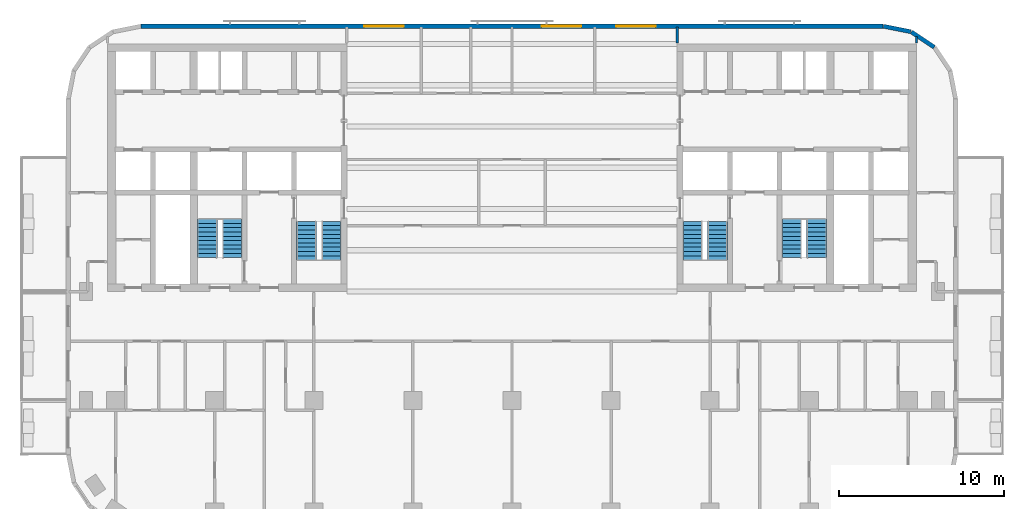
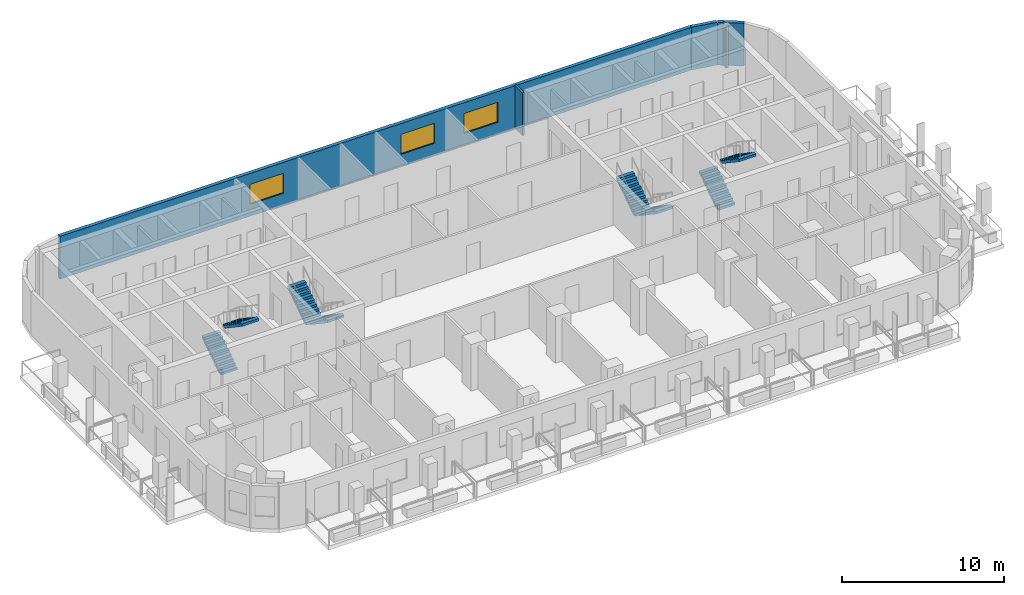
# One storey, part 8 of 12: 8 stair flights, 5 walls, 3 windows, 3 openings, 4 elements without a shape of their own.
"""IFC4 building model written with IfcOpenShell, lengths in metres."""

from ifc_helpers import new_model, si_unit, direction, frame, frame_2d, origin, place, context, subcontext, project, spatial, polyline, rectangle, outline, extrude, material, layer, layer_set, type_object, element, fill, aggregate, save


model = new_model("IFC4")

# Units and contexts
model_context = context("Model", 3, precision=1e-05, world=origin(), true_north=direction((0.0, 1.0)))
body_context = subcontext(model_context, "Body", "Model", "MODEL_VIEW")
ifc_project = project(units=[si_unit("LENGTHUNIT", "METRE"), si_unit("AREAUNIT", "SQUARE_METRE"), si_unit("VOLUMEUNIT", "CUBIC_METRE"), si_unit("PLANEANGLEUNIT", "RADIAN"), si_unit("MASSUNIT", "GRAM", prefix="KILO")], contexts=[model_context])

# Site, building, storey
site_placement = place(None, origin())
site = spatial("IfcSite", under=ifc_project, at=site_placement, CompositionType="ELEMENT")
building_placement = place(site_placement, origin())
building = spatial("IfcBuilding", under=site, at=building_placement, Name="Torana Hotel and Residences", CompositionType="ELEMENT")
storey_placement = place(building_placement, frame((0.0, 0.0, 201.10009765625)))
storey = spatial("IfcBuildingStorey", under=building, at=storey_placement, Name="L52", CompositionType="ELEMENT", Elevation=201.10009765625)

# Walls
ifc_material_1 = material(Name="Black aluminium composite panel", Category="aluminium")
ifc_layer_1 = layer(ifc_material_1, 0.00390625, Name="Cladding", Category="cladding")
ifc_material_2 = material(Name="Ventilated air cavity")
ifc_layer_2 = layer(ifc_material_2, 0.0400390625, Name="Ventilated cavity", Category="cavity")
ifc_material_3 = material(Name="Mineral wool insulation")
ifc_layer_3 = layer(ifc_material_3, 0.090087890625, Name="Insulation", Category="insulation")
ifc_material_4 = material(Name="Steel S280GD", Category="steel")
ifc_layer_4 = layer(ifc_material_4, 0.092041015625, Name="Steel stud frame", Category="structure")
ifc_material_5 = material(Name="Fire rated plasterboard")
ifc_layer_5 = layer(ifc_material_5, 0.011962890625, Name="Inner board", Category="finish")
ifc_layer_6 = layer(ifc_material_5, 0.011962890625, Name="Second board", Category="finish")
ifc_layer_set_1 = layer_set([ifc_layer_1, ifc_layer_2, ifc_layer_3, ifc_layer_4, ifc_layer_5, ifc_layer_6], Name="EW1 EXTERNAL WALL BLACK METAL CLAD 250")
wall_type_1 = type_object("IfcWallType", Name="EW1 EXTERNAL WALL BLACK METAL CLAD 250", PredefinedType="SOLIDWALL", material=ifc_layer_set_1)
wall_1_placement = place(storey_placement, frame((25.5712890625, -0.1943359375, 0.0), z_axis=(0.0, 0.0, 1.0), x_axis=(-0.831482937015, 0.55555029066, 0.0)))
element("IfcWall", 1, at=wall_1_placement, inside=storey, type_object=wall_type_1, Name="External wall L52 e0.2", PredefinedType="SOLIDWALL", context=body_context, shape_type="SweptSolid", body=[
    extrude(rectangle(XDim=1.65625, YDim=0.25, at=frame_2d((0.828125, 0.0))), origin(), (0.0, 0.0, 1.0), 3.219970703125),
])
wall_2_placement = place(storey_placement, frame((24.14892578125, 0.74462890625, 0.0), z_axis=(0.0, 0.0, 1.0), x_axis=(-0.980803419081, 0.194999110559, 0.0)))
element("IfcWall", 2, at=wall_2_placement, inside=storey, type_object=wall_type_1, Name="External wall L52 e0.3", PredefinedType="SOLIDWALL", context=body_context, shape_type="SweptSolid", body=[
    extrude(rectangle(XDim=1.681396484375, YDim=0.25, at=frame_2d((0.8408203125, 0.0))), origin(), (0.0, 0.0, 1.0), 3.219970703125),
])

# Wall, openings, windows
ifc_material_6 = material(Name="Concrete C40/50 precast", Category="concrete")
ifc_layer_7 = layer(ifc_material_6, 0.10009765625, Name="Perforated block", Category="cladding")
ifc_material_7 = material(Name="Air cavity")
ifc_layer_8 = layer(ifc_material_7, 0.030029296875, Name="Cavity", Category="cavity")
ifc_material_8 = material(Name="Concrete C40/50", Category="concrete")
ifc_layer_9 = layer(ifc_material_8, 0.10009765625, Name="Wall", Category="structure")
ifc_material_9 = material(Name="Plaster and paint")
ifc_layer_10 = layer(ifc_material_9, 0.02001953125, Name="Inner finish", Category="finish")
ifc_layer_set_2 = layer_set([ifc_layer_7, ifc_layer_8, ifc_layer_9, ifc_layer_10], Name="EW2 PERFORATED BLOCK SCREEN WALL 250")
wall_type_2 = type_object("IfcWallType", Name="EW2 PERFORATED BLOCK SCREEN WALL 250", PredefinedType="SOLIDWALL", material=ifc_layer_set_2)
wall_3_placement = place(storey_placement, frame((22.475341796875, 1.074951171875, 0.0), z_axis=(0.0, 0.0, 1.0), x_axis=(-1.0, 0.0, 0.0)))
wall_3 = element("IfcWall", 3, at=wall_3_placement, inside=storey, type_object=wall_type_2, Name="External wall L52 e0.4", PredefinedType="SOLIDWALL", context=body_context, shape_type="SweptSolid", body=[
    extrude(rectangle(XDim=44.95068359375, YDim=0.25, at=frame_2d((22.475341796875, 0.0))), origin(), (0.0, 0.0, 1.0), 3.219970703125),
])
opening_1_placement = place(wall_3_placement, frame((13.775390625, 0.0, 0.89990234375)))
opening_1 = element("IfcOpeningElement", 4, at=opening_1_placement, cuts=wall_3, Name="Opening W3", PredefinedType="OPENING", context=body_context, shape_type="SweptSolid", body=[
    extrude(rectangle(XDim=2.39990234375, YDim=1.5, at=frame_2d((1.199951171875, 0.75))), frame((0.0, 0.135009765625, 0.0), z_axis=(0.0, -1.0, 0.0), x_axis=(1.0, 0.0, 0.0)), (0.0, 0.0, 1.0), 0.27001953125),
])
opening_2_placement = place(wall_3_placement, frame((18.275390625, 0.0, 0.89990234375)))
opening_2 = element("IfcOpeningElement", 5, at=opening_2_placement, cuts=wall_3, Name="Opening W3", PredefinedType="OPENING", context=body_context, shape_type="SweptSolid", body=[
    extrude(rectangle(XDim=2.39990234375, YDim=1.5, at=frame_2d((1.199951171875, 0.75))), frame((0.0, 0.135009765625, 0.0), z_axis=(0.0, -1.0, 0.0), x_axis=(1.0, 0.0, 0.0)), (0.0, 0.0, 1.0), 0.27001953125),
])
opening_3_placement = place(wall_3_placement, frame((29.025390625, 0.0, 0.89990234375)))
opening_3 = element("IfcOpeningElement", 6, at=opening_3_placement, cuts=wall_3, Name="Opening W3", PredefinedType="OPENING", context=body_context, shape_type="SweptSolid", body=[
    extrude(rectangle(XDim=2.39990234375, YDim=1.5, at=frame_2d((1.199951171875, 0.75))), frame((0.0, 0.135009765625, 0.0), z_axis=(0.0, -1.0, 0.0), x_axis=(1.0, 0.0, 0.0)), (0.0, 0.0, 1.0), 0.27001953125),
])
ifc_material_10 = material(Name="Dark glass in black aluminium frame", Category="aluminium")
window_type = type_object("IfcWindowType", Name="W3 RESIDENCE WINDOW 2400x1500", PartitioningType="SINGLE_PANEL", PredefinedType="WINDOW", material=ifc_material_10)
window_1_placement = place(opening_1_placement, origin())
window_1 = element("IfcWindow", 7, at=window_1_placement, inside=storey, type_object=window_type, Name="Window L52", OverallHeight=1.5, OverallWidth=2.39990234375, PartitioningType="SINGLE_PANEL", PredefinedType="WINDOW", context=body_context, shape_type="SweptSolid", body=[
    extrude(rectangle(XDim=2.39990234375, YDim=1.5, at=frame_2d((1.199951171875, 0.75))), frame((0.0, 0.030029296875, 0.0), z_axis=(0.0, -1.0, 0.0), x_axis=(1.0, 0.0, 0.0)), (0.0, 0.0, 1.0), 0.06005859375),
])
fill(opening_1, window_1)
window_2_placement = place(opening_2_placement, origin())
window_2 = element("IfcWindow", 8, at=window_2_placement, inside=storey, type_object=window_type, Name="Window L52", OverallHeight=1.5, OverallWidth=2.39990234375, PartitioningType="SINGLE_PANEL", PredefinedType="WINDOW", context=body_context, shape_type="SweptSolid", body=[
    extrude(rectangle(XDim=2.39990234375, YDim=1.5, at=frame_2d((1.199951171875, 0.75))), frame((0.0, 0.030029296875, 0.0), z_axis=(0.0, -1.0, 0.0), x_axis=(1.0, 0.0, 0.0)), (0.0, 0.0, 1.0), 0.06005859375),
])
fill(opening_2, window_2)
window_3_placement = place(opening_3_placement, origin())
window_3 = element("IfcWindow", 9, at=window_3_placement, inside=storey, type_object=window_type, Name="Window L52", OverallHeight=1.5, OverallWidth=2.39990234375, PartitioningType="SINGLE_PANEL", PredefinedType="WINDOW", context=body_context, shape_type="SweptSolid", body=[
    extrude(rectangle(XDim=2.39990234375, YDim=1.5, at=frame_2d((1.199951171875, 0.75))), frame((0.0, 0.030029296875, 0.0), z_axis=(0.0, -1.0, 0.0), x_axis=(1.0, 0.0, 0.0)), (0.0, 0.0, 1.0), 0.06005859375),
])
fill(opening_3, window_3)

# Walls
ifc_material_11 = material(Name="Gypsum plasterboard")
ifc_layer_11 = layer(ifc_material_11, 0.012451171875, Name="Plasterboard", Category="finish")
ifc_layer_12 = layer(ifc_material_11, 0.012451171875, Name="Plasterboard", Category="finish")
ifc_layer_13 = layer(ifc_material_4, 0.10009765625, Name="Steel studs with mineral wool", Category="insulation")
ifc_layer_14 = layer(ifc_material_11, 0.012451171875, Name="Plasterboard", Category="finish")
ifc_layer_15 = layer(ifc_material_11, 0.012451171875, Name="Plasterboard", Category="finish")
ifc_layer_set_3 = layer_set([ifc_layer_11, ifc_layer_12, ifc_layer_13, ifc_layer_14, ifc_layer_15], Name="PARTITION 150 PLASTERBOARD")
wall_type_3 = type_object("IfcWallType", Name="PARTITION 150 PLASTERBOARD", PredefinedType="PARTITIONING", material=ifc_layer_set_3)
wall_4_placement = place(storey_placement, frame((24.5, 0.050048828125, 0.0), z_axis=(0.0, 0.0, 1.0), x_axis=(0.0, 1.0, 0.0)))
element("IfcWall", 10, at=wall_4_placement, inside=storey, type_object=wall_type_3, Name="Partition L52", PredefinedType="PARTITIONING", context=body_context, shape_type="SweptSolid", body=[
    extrude(rectangle(XDim=0.4052734375, YDim=0.14990234375, at=frame_2d((0.20263671875, 0.0))), origin(), (0.0, 0.0, 1.0), 3.219970703125),
])
wall_5_placement = place(storey_placement, frame((10.0, 0.050048828125, 0.0), z_axis=(0.0, 0.0, 1.0), x_axis=(0.0, 1.0, 0.0)))
element("IfcWall", 11, at=wall_5_placement, inside=storey, type_object=wall_type_3, Name="Partition L52", PredefinedType="PARTITIONING", context=body_context, shape_type="SweptSolid", body=[
    extrude(rectangle(XDim=0.969970703125, YDim=0.14990234375, at=frame_2d((0.48486328125, 0.0))), origin(), (0.0, 0.0, 1.0), 3.219970703125),
])

# Stair, stair flights
ifc_material_12 = material(Name="Concrete C40/50 precast", Category="concrete")
stair_type_1 = type_object("IfcStairType", Name="STAIR ST1 HALF TURN 1200", PredefinedType="HALF_TURN_STAIR", material=ifc_material_12)
stair_1_placement = place(storey_placement, origin())
stair_1 = element("IfcStair", 12, at=stair_1_placement, inside=storey, type_object=stair_type_1, Name="Stair ST1 L52", PredefinedType="HALF_TURN_STAIR")
ifc_material_13 = material(Name="Concrete C40/50 precast", Category="concrete")
stair_flight_type = type_object("IfcStairFlightType", Name="STAIR FLIGHT 1200 PRECAST", PredefinedType="STRAIGHT", material=ifc_material_13)
stair_flight_1_placement = place(storey_placement, frame((-10.949951171875, -10.75, 0.0), z_axis=(0.0, 0.0, 1.0), x_axis=(0.0, -1.0, 0.0)))
stair_flight_1 = element("IfcStairFlight", 13, at=stair_flight_1_placement, type_object=stair_flight_type, Name="ST1 flight 1", NumberOfRisers=10, NumberOfTreads=9, PredefinedType="STRAIGHT", RiserHeight=0.175, TreadLength=0.26, context=body_context, shape_type="SweptSolid", body=[
    extrude(outline(polyline([(0.0, 0.0), (0.0, 0.175048828125), (0.260009765625, 0.175048828125), (0.260009765625, 0.35009765625), (0.52001953125, 0.35009765625), (0.52001953125, 0.52490234375), (0.780029296875, 0.52490234375), (0.780029296875, 0.699951171875), (1.0400390625, 0.699951171875), (1.0400390625, 0.875), (1.300048828125, 0.875), (1.300048828125, 1.050048828125), (1.56005859375, 1.050048828125), (1.56005859375, 1.22509765625), (1.820068359375, 1.22509765625), (1.820068359375, 1.39990234375), (2.080078125, 1.39990234375), (2.080078125, 1.574951171875), (2.340087890625, 1.574951171875), (2.340087890625, 1.75), (2.340087890625, 1.394287109375), (0.2685546875, 0.0), (0.0, 0.0)])), frame((0.0, 0.60009765625, 0.0), z_axis=(0.0, -1.0, 0.0), x_axis=(1.0, 0.0, 0.0)), (0.0, 0.0, 1.0), 1.199951171875),
])
stair_flight_2_placement = place(storey_placement, frame((-12.449951171875, -13.090087890625, 1.75), z_axis=(0.0, 0.0, 1.0), x_axis=(0.0, 1.0, 0.0)))
stair_flight_2 = element("IfcStairFlight", 14, at=stair_flight_2_placement, type_object=stair_flight_type, Name="ST1 flight 2", NumberOfRisers=10, NumberOfTreads=9, PredefinedType="STRAIGHT", RiserHeight=0.175, TreadLength=0.26, context=body_context, shape_type="SweptSolid", body=[
    extrude(outline(polyline([(0.0, 0.0), (0.0, 0.175048828125), (0.260009765625, 0.175048828125), (0.260009765625, 0.35009765625), (0.52001953125, 0.35009765625), (0.52001953125, 0.52490234375), (0.780029296875, 0.52490234375), (0.780029296875, 0.699951171875), (1.0400390625, 0.699951171875), (1.0400390625, 0.875), (1.300048828125, 0.875), (1.300048828125, 1.050048828125), (1.56005859375, 1.050048828125), (1.56005859375, 1.22509765625), (1.820068359375, 1.22509765625), (1.820068359375, 1.39990234375), (2.080078125, 1.39990234375), (2.080078125, 1.574951171875), (2.340087890625, 1.574951171875), (2.340087890625, 1.75), (2.340087890625, 1.394287109375), (0.2685546875, 0.0), (0.0, 0.0)])), frame((0.0, 0.60009765625, 0.0), z_axis=(0.0, -1.0, 0.0), x_axis=(1.0, 0.0, 0.0)), (0.0, 0.0, 1.0), 1.199951171875),
])
aggregate(stair_1, [stair_flight_1, stair_flight_2])

ifc_material_14 = material(Name="Concrete C40/50 precast", Category="concrete")
stair_type_2 = type_object("IfcStairType", Name="STAIR ST2 HALF TURN 1200", PredefinedType="HALF_TURN_STAIR", material=ifc_material_14)
stair_2_placement = place(storey_placement, origin())
stair_2 = element("IfcStair", 15, at=stair_2_placement, inside=storey, type_object=stair_type_2, Name="Stair ST2 L52", PredefinedType="HALF_TURN_STAIR")
stair_flight_3_placement = place(storey_placement, frame((-18.449951171875, -12.949951171875, 0.0), z_axis=(0.0, 0.0, 1.0), x_axis=(0.0, 1.0, 0.0)))
stair_flight_3 = element("IfcStairFlight", 16, at=stair_flight_3_placement, type_object=stair_flight_type, Name="ST2 flight 1", NumberOfRisers=10, NumberOfTreads=9, PredefinedType="STRAIGHT", RiserHeight=0.175, TreadLength=0.26, context=body_context, shape_type="SweptSolid", body=[
    extrude(outline(polyline([(0.0, 0.0), (0.0, 0.175048828125), (0.260009765625, 0.175048828125), (0.260009765625, 0.35009765625), (0.52001953125, 0.35009765625), (0.52001953125, 0.52490234375), (0.780029296875, 0.52490234375), (0.780029296875, 0.699951171875), (1.0400390625, 0.699951171875), (1.0400390625, 0.875), (1.300048828125, 0.875), (1.300048828125, 1.050048828125), (1.56005859375, 1.050048828125), (1.56005859375, 1.22509765625), (1.820068359375, 1.22509765625), (1.820068359375, 1.39990234375), (2.080078125, 1.39990234375), (2.080078125, 1.574951171875), (2.340087890625, 1.574951171875), (2.340087890625, 1.75), (2.340087890625, 1.394287109375), (0.2685546875, 0.0), (0.0, 0.0)])), frame((0.0, 0.60009765625, 0.0), z_axis=(0.0, -1.0, 0.0), x_axis=(1.0, 0.0, 0.0)), (0.0, 0.0, 1.0), 1.199951171875),
])
stair_flight_4_placement = place(storey_placement, frame((-16.949951171875, -10.610107421875, 1.75), z_axis=(0.0, 0.0, 1.0), x_axis=(0.0, -1.0, 0.0)))
stair_flight_4 = element("IfcStairFlight", 17, at=stair_flight_4_placement, type_object=stair_flight_type, Name="ST2 flight 2", NumberOfRisers=10, NumberOfTreads=9, PredefinedType="STRAIGHT", RiserHeight=0.175, TreadLength=0.26, context=body_context, shape_type="SweptSolid", body=[
    extrude(outline(polyline([(0.0, 0.0), (0.0, 0.175048828125), (0.260009765625, 0.175048828125), (0.260009765625, 0.35009765625), (0.52001953125, 0.35009765625), (0.52001953125, 0.52490234375), (0.780029296875, 0.52490234375), (0.780029296875, 0.699951171875), (1.0400390625, 0.699951171875), (1.0400390625, 0.875), (1.300048828125, 0.875), (1.300048828125, 1.050048828125), (1.56005859375, 1.050048828125), (1.56005859375, 1.22509765625), (1.820068359375, 1.22509765625), (1.820068359375, 1.39990234375), (2.080078125, 1.39990234375), (2.080078125, 1.574951171875), (2.340087890625, 1.574951171875), (2.340087890625, 1.75), (2.340087890625, 1.394287109375), (0.2685546875, 0.0), (0.0, 0.0)])), frame((0.0, 0.60009765625, 0.0), z_axis=(0.0, -1.0, 0.0), x_axis=(1.0, 0.0, 0.0)), (0.0, 0.0, 1.0), 1.199951171875),
])
aggregate(stair_2, [stair_flight_3, stair_flight_4])

ifc_material_15 = material(Name="Concrete C40/50 precast", Category="concrete")
stair_type_3 = type_object("IfcStairType", Name="STAIR ST3 HALF TURN 1200", PredefinedType="HALF_TURN_STAIR", material=ifc_material_15)
stair_3_placement = place(storey_placement, origin())
stair_3 = element("IfcStair", 18, at=stair_3_placement, inside=storey, type_object=stair_type_3, Name="Stair ST3 L52", PredefinedType="HALF_TURN_STAIR")
stair_flight_5_placement = place(storey_placement, frame((12.449951171875, -10.75, 0.0), z_axis=(0.0, 0.0, 1.0), x_axis=(0.0, -1.0, 0.0)))
stair_flight_5 = element("IfcStairFlight", 19, at=stair_flight_5_placement, type_object=stair_flight_type, Name="ST3 flight 1", NumberOfRisers=10, NumberOfTreads=9, PredefinedType="STRAIGHT", RiserHeight=0.175, TreadLength=0.26, context=body_context, shape_type="SweptSolid", body=[
    extrude(outline(polyline([(0.0, 0.0), (0.0, 0.175048828125), (0.260009765625, 0.175048828125), (0.260009765625, 0.35009765625), (0.52001953125, 0.35009765625), (0.52001953125, 0.52490234375), (0.780029296875, 0.52490234375), (0.780029296875, 0.699951171875), (1.0400390625, 0.699951171875), (1.0400390625, 0.875), (1.300048828125, 0.875), (1.300048828125, 1.050048828125), (1.56005859375, 1.050048828125), (1.56005859375, 1.22509765625), (1.820068359375, 1.22509765625), (1.820068359375, 1.39990234375), (2.080078125, 1.39990234375), (2.080078125, 1.574951171875), (2.340087890625, 1.574951171875), (2.340087890625, 1.75), (2.340087890625, 1.394287109375), (0.2685546875, 0.0), (0.0, 0.0)])), frame((0.0, 0.60009765625, 0.0), z_axis=(0.0, -1.0, 0.0), x_axis=(1.0, 0.0, 0.0)), (0.0, 0.0, 1.0), 1.199951171875),
])
stair_flight_6_placement = place(storey_placement, frame((10.949951171875, -13.090087890625, 1.75), z_axis=(0.0, 0.0, 1.0), x_axis=(0.0, 1.0, 0.0)))
stair_flight_6 = element("IfcStairFlight", 20, at=stair_flight_6_placement, type_object=stair_flight_type, Name="ST3 flight 2", NumberOfRisers=10, NumberOfTreads=9, PredefinedType="STRAIGHT", RiserHeight=0.175, TreadLength=0.26, context=body_context, shape_type="SweptSolid", body=[
    extrude(outline(polyline([(0.0, 0.0), (0.0, 0.175048828125), (0.260009765625, 0.175048828125), (0.260009765625, 0.35009765625), (0.52001953125, 0.35009765625), (0.52001953125, 0.52490234375), (0.780029296875, 0.52490234375), (0.780029296875, 0.699951171875), (1.0400390625, 0.699951171875), (1.0400390625, 0.875), (1.300048828125, 0.875), (1.300048828125, 1.050048828125), (1.56005859375, 1.050048828125), (1.56005859375, 1.22509765625), (1.820068359375, 1.22509765625), (1.820068359375, 1.39990234375), (2.080078125, 1.39990234375), (2.080078125, 1.574951171875), (2.340087890625, 1.574951171875), (2.340087890625, 1.75), (2.340087890625, 1.394287109375), (0.2685546875, 0.0), (0.0, 0.0)])), frame((0.0, 0.60009765625, 0.0), z_axis=(0.0, -1.0, 0.0), x_axis=(1.0, 0.0, 0.0)), (0.0, 0.0, 1.0), 1.199951171875),
])
aggregate(stair_3, [stair_flight_5, stair_flight_6])

ifc_material_16 = material(Name="Concrete C40/50 precast", Category="concrete")
stair_type_4 = type_object("IfcStairType", Name="STAIR ST4 HALF TURN 1200", PredefinedType="HALF_TURN_STAIR", material=ifc_material_16)
stair_4_placement = place(storey_placement, origin())
stair_4 = element("IfcStair", 21, at=stair_4_placement, inside=storey, type_object=stair_type_4, Name="Stair ST4 L52", PredefinedType="HALF_TURN_STAIR")
stair_flight_7_placement = place(storey_placement, frame((16.949951171875, -12.949951171875, 0.0), z_axis=(0.0, 0.0, 1.0), x_axis=(0.0, 1.0, 0.0)))
stair_flight_7 = element("IfcStairFlight", 22, at=stair_flight_7_placement, type_object=stair_flight_type, Name="ST4 flight 1", NumberOfRisers=10, NumberOfTreads=9, PredefinedType="STRAIGHT", RiserHeight=0.175, TreadLength=0.26, context=body_context, shape_type="SweptSolid", body=[
    extrude(outline(polyline([(0.0, 0.0), (0.0, 0.175048828125), (0.260009765625, 0.175048828125), (0.260009765625, 0.35009765625), (0.52001953125, 0.35009765625), (0.52001953125, 0.52490234375), (0.780029296875, 0.52490234375), (0.780029296875, 0.699951171875), (1.0400390625, 0.699951171875), (1.0400390625, 0.875), (1.300048828125, 0.875), (1.300048828125, 1.050048828125), (1.56005859375, 1.050048828125), (1.56005859375, 1.22509765625), (1.820068359375, 1.22509765625), (1.820068359375, 1.39990234375), (2.080078125, 1.39990234375), (2.080078125, 1.574951171875), (2.340087890625, 1.574951171875), (2.340087890625, 1.75), (2.340087890625, 1.394287109375), (0.2685546875, 0.0), (0.0, 0.0)])), frame((0.0, 0.60009765625, 0.0), z_axis=(0.0, -1.0, 0.0), x_axis=(1.0, 0.0, 0.0)), (0.0, 0.0, 1.0), 1.199951171875),
])
stair_flight_8_placement = place(storey_placement, frame((18.449951171875, -10.610107421875, 1.75), z_axis=(0.0, 0.0, 1.0), x_axis=(0.0, -1.0, 0.0)))
stair_flight_8 = element("IfcStairFlight", 23, at=stair_flight_8_placement, type_object=stair_flight_type, Name="ST4 flight 2", NumberOfRisers=10, NumberOfTreads=9, PredefinedType="STRAIGHT", RiserHeight=0.175, TreadLength=0.26, context=body_context, shape_type="SweptSolid", body=[
    extrude(outline(polyline([(0.0, 0.0), (0.0, 0.175048828125), (0.260009765625, 0.175048828125), (0.260009765625, 0.35009765625), (0.52001953125, 0.35009765625), (0.52001953125, 0.52490234375), (0.780029296875, 0.52490234375), (0.780029296875, 0.699951171875), (1.0400390625, 0.699951171875), (1.0400390625, 0.875), (1.300048828125, 0.875), (1.300048828125, 1.050048828125), (1.56005859375, 1.050048828125), (1.56005859375, 1.22509765625), (1.820068359375, 1.22509765625), (1.820068359375, 1.39990234375), (2.080078125, 1.39990234375), (2.080078125, 1.574951171875), (2.340087890625, 1.574951171875), (2.340087890625, 1.75), (2.340087890625, 1.394287109375), (0.2685546875, 0.0), (0.0, 0.0)])), frame((0.0, 0.60009765625, 0.0), z_axis=(0.0, -1.0, 0.0), x_axis=(1.0, 0.0, 0.0)), (0.0, 0.0, 1.0), 1.199951171875),
])
aggregate(stair_4, [stair_flight_7, stair_flight_8])

save(model, "model.ifc")
